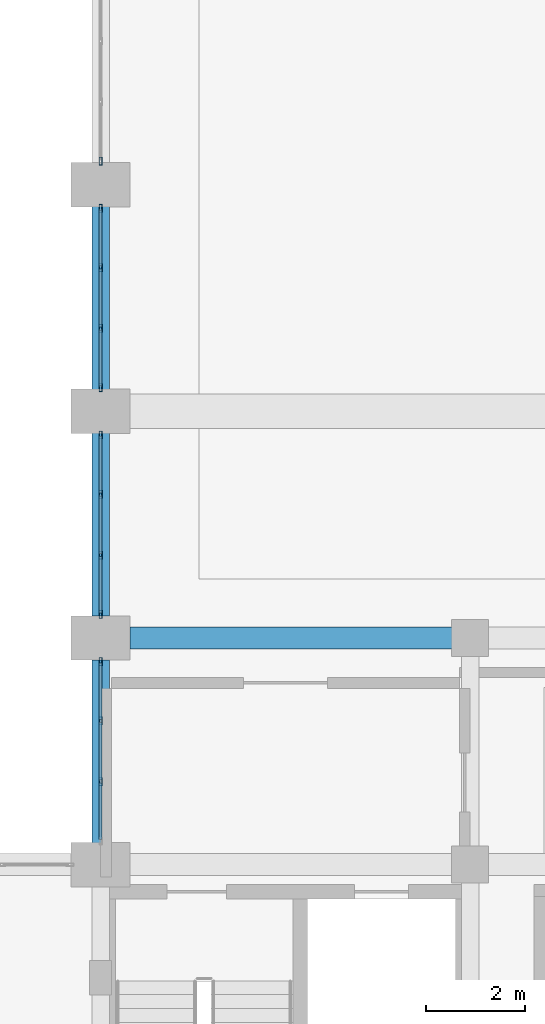
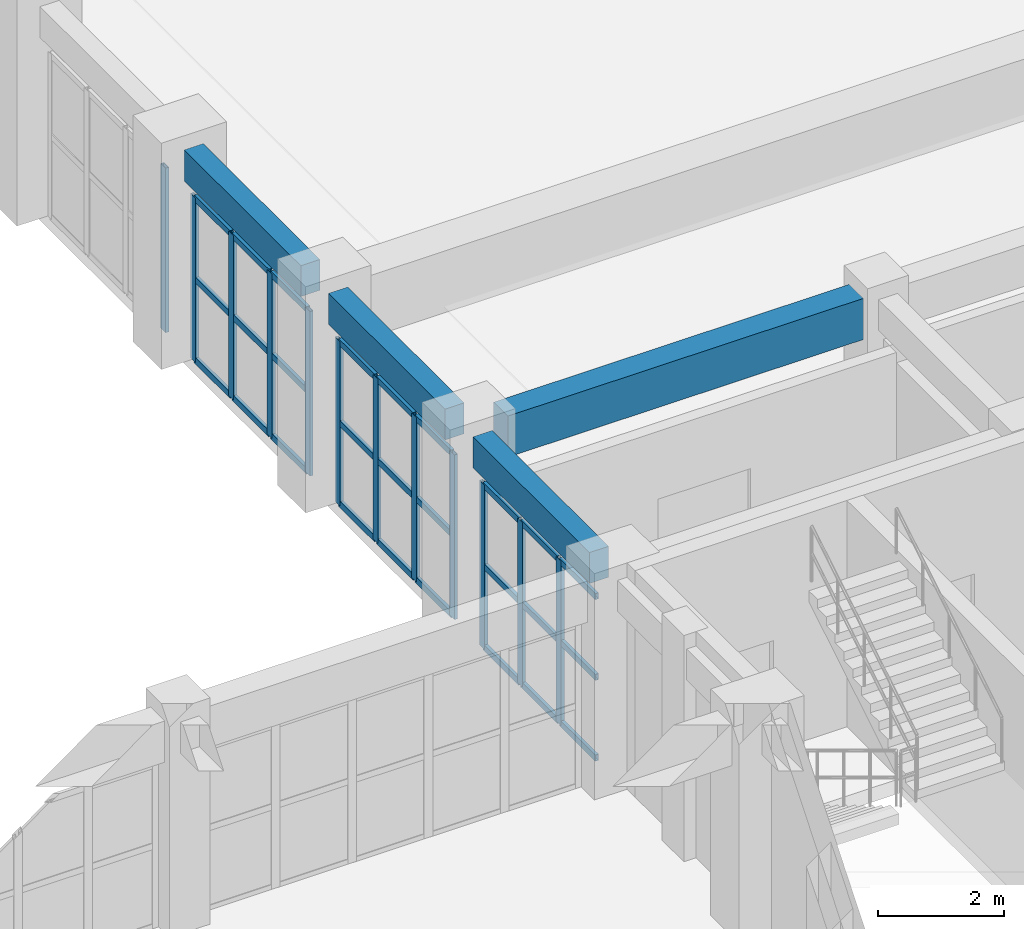
# One storey, part 29 of 116: 39 members, 4 beams, 4 elements without a shape of their own.
"""IFC4 building model written with IfcOpenShell, lengths in metres."""

from ifc_helpers import new_model, si_unit, direction, frame, origin, origin_2d, place, context, subcontext, project, spatial, rectangle, hollow_rectangle, extrude, material, layer, layer_set, material_profile, profile_set, type_object, element, aggregate, save


model = new_model("IFC4")

# Units and contexts
model_context = context("Model", 3, precision=1e-05, world=origin(), true_north=direction((0.0, 1.0)))
body_context = subcontext(model_context, "Body", "Model", "MODEL_VIEW")
ifc_project = project(units=[si_unit("LENGTHUNIT", "METRE"), si_unit("AREAUNIT", "SQUARE_METRE"), si_unit("VOLUMEUNIT", "CUBIC_METRE"), si_unit("PLANEANGLEUNIT", "RADIAN"), si_unit("MASSUNIT", "GRAM", prefix="KILO")], contexts=[model_context])

# Site, building, storey
site_placement = place(None, origin())
site = spatial("IfcSite", under=ifc_project, at=site_placement, CompositionType="ELEMENT")
building_placement = place(site_placement, origin())
building = spatial("IfcBuilding", under=site, at=building_placement, Name="Muzn Square Opera House", CompositionType="ELEMENT")
storey_placement = place(building_placement, frame((0.0, 0.0, 5.39990234375)))
storey = spatial("IfcBuildingStorey", under=building, at=storey_placement, Name="L01", CompositionType="ELEMENT", Elevation=5.39990234375)

# Curtain wall, members
ifc_material_1 = material(Name="Low-E laminated acoustic double glazing", Category="glass")
ifc_layer = layer(ifc_material_1, 0.159912109375, Name="Low-E laminated acoustic double glazing", Category="glass")
ifc_layer_set = layer_set([ifc_layer], Name="Low-E laminated acoustic double glazing")
curtain_wall_type = type_object("IfcCurtainWallType", Name="Glazed Curtain Wall WestVaultCourt 3700x3200", PredefinedType="USERDEFINED", material=ifc_layer_set)
curtain_wall_1_placement = place(storey_placement, origin())
curtain_wall_1 = element("IfcCurtainWall", 1, at=curtain_wall_1_placement, inside=storey, type_object=curtain_wall_type, Name="Glazed Curtain Wall CW-L01-039", ObjectType="GLAZED CURTAIN WALL", PredefinedType="USERDEFINED")
ifc_material_2 = material(Name="Anodised bronze aluminium 6063-T6", Category="metal")
ifc_material_profile_1 = material_profile(ifc_material_2, hollow_rectangle(XDim=0.06005859375, YDim=0.159912109375, WallThickness=0.00390625, at=origin_2d()), Name="ALU 160x60x4", Category="metal")
ifc_profile_set_1 = profile_set([ifc_material_profile_1], Name="Anodised bronze aluminium 6063-T6")
member_type_1 = type_object("IfcMemberType", Name="Curtain Wall Mullion 160x60", PredefinedType="MULLION", material=ifc_profile_set_1)
member_1_placement = place(storey_placement, frame((43.0, 32.88330078125, 0.0), z_axis=(0.0, 0.0, 1.0), x_axis=(-1.0, 0.0, 0.0)))
member_1 = element("IfcMember", 2, at=member_1_placement, type_object=member_type_1, Name="CW-WVC-37x32 mullion 2", PredefinedType="MULLION", context=body_context, shape_type="SweptSolid", body=[
    extrude(hollow_rectangle(XDim=0.06005859375, YDim=0.159912109375, WallThickness=0.00390625, at=origin_2d()), origin(), (0.0, 0.0, 1.0), 3.2001953125),
])
member_2_placement = place(storey_placement, frame((43.0, 34.11669921875, 0.0), z_axis=(0.0, 0.0, 1.0), x_axis=(-1.0, 0.0, 0.0)))
member_2 = element("IfcMember", 3, at=member_2_placement, type_object=member_type_1, Name="CW-WVC-37x32 mullion 3", PredefinedType="MULLION", context=body_context, shape_type="SweptSolid", body=[
    extrude(hollow_rectangle(XDim=0.06005859375, YDim=0.159912109375, WallThickness=0.00390625, at=origin_2d()), origin(), (0.0, 0.0, 1.0), 3.2001953125),
])
member_3_placement = place(storey_placement, frame((43.0, 35.320068359375, 0.0), z_axis=(0.0, 0.0, 1.0), x_axis=(-1.0, 0.0, 0.0)))
member_3 = element("IfcMember", 4, at=member_3_placement, type_object=member_type_1, Name="CW-WVC-37x32 mullion 4", PredefinedType="MULLION", context=body_context, shape_type="SweptSolid", body=[
    extrude(hollow_rectangle(XDim=0.06005859375, YDim=0.159912109375, WallThickness=0.00390625, at=origin_2d()), origin(), (0.0, 0.0, 1.0), 3.2001953125),
])

curtain_wall_2_placement = place(storey_placement, origin())
curtain_wall_2 = element("IfcCurtainWall", 5, at=curtain_wall_2_placement, inside=storey, type_object=curtain_wall_type, Name="Glazed Curtain Wall CW-L01-041", ObjectType="GLAZED CURTAIN WALL", PredefinedType="USERDEFINED")
member_4_placement = place(storey_placement, frame((43.0, 36.280029296875, 0.0), z_axis=(0.0, 0.0, 1.0), x_axis=(-1.0, 0.0, 0.0)))
member_4 = element("IfcMember", 6, at=member_4_placement, type_object=member_type_1, Name="CW-WVC-37x32 mullion 1", PredefinedType="MULLION", context=body_context, shape_type="SweptSolid", body=[
    extrude(hollow_rectangle(XDim=0.06005859375, YDim=0.159912109375, WallThickness=0.00390625, at=origin_2d()), origin(), (0.0, 0.0, 1.0), 3.2001953125),
])
member_5_placement = place(storey_placement, frame((43.0, 37.4833984375, 0.0), z_axis=(0.0, 0.0, 1.0), x_axis=(-1.0, 0.0, 0.0)))
member_5 = element("IfcMember", 7, at=member_5_placement, type_object=member_type_1, Name="CW-WVC-37x32 mullion 2", PredefinedType="MULLION", context=body_context, shape_type="SweptSolid", body=[
    extrude(hollow_rectangle(XDim=0.06005859375, YDim=0.159912109375, WallThickness=0.00390625, at=origin_2d()), origin(), (0.0, 0.0, 1.0), 3.2001953125),
])
member_6_placement = place(storey_placement, frame((43.0, 38.716552734375, 0.0), z_axis=(0.0, 0.0, 1.0), x_axis=(-1.0, 0.0, 0.0)))
member_6 = element("IfcMember", 8, at=member_6_placement, type_object=member_type_1, Name="CW-WVC-37x32 mullion 3", PredefinedType="MULLION", context=body_context, shape_type="SweptSolid", body=[
    extrude(hollow_rectangle(XDim=0.06005859375, YDim=0.159912109375, WallThickness=0.00390625, at=origin_2d()), origin(), (0.0, 0.0, 1.0), 3.2001953125),
])
member_7_placement = place(storey_placement, frame((43.0, 39.919921875, 0.0), z_axis=(0.0, 0.0, 1.0), x_axis=(-1.0, 0.0, 0.0)))
member_7 = element("IfcMember", 9, at=member_7_placement, type_object=member_type_1, Name="CW-WVC-37x32 mullion 4", PredefinedType="MULLION", context=body_context, shape_type="SweptSolid", body=[
    extrude(hollow_rectangle(XDim=0.06005859375, YDim=0.159912109375, WallThickness=0.00390625, at=origin_2d()), origin(), (0.0, 0.0, 1.0), 3.2001953125),
])

curtain_wall_3_placement = place(storey_placement, origin())
curtain_wall_3 = element("IfcCurtainWall", 10, at=curtain_wall_3_placement, inside=storey, type_object=curtain_wall_type, Name="Glazed Curtain Wall CW-L01-043", ObjectType="GLAZED CURTAIN WALL", PredefinedType="USERDEFINED")
member_8_placement = place(storey_placement, frame((43.0, 40.8798828125, 0.0), z_axis=(0.0, 0.0, 1.0), x_axis=(-1.0, 0.0, 0.0)))
member_8 = element("IfcMember", 11, at=member_8_placement, type_object=member_type_1, Name="CW-WVC-37x32 mullion 1", PredefinedType="MULLION", context=body_context, shape_type="SweptSolid", body=[
    extrude(hollow_rectangle(XDim=0.06005859375, YDim=0.159912109375, WallThickness=0.00390625, at=origin_2d()), origin(), (0.0, 0.0, 1.0), 3.2001953125),
])
member_9_placement = place(storey_placement, frame((43.0, 42.083251953125, 0.0), z_axis=(0.0, 0.0, 1.0), x_axis=(-1.0, 0.0, 0.0)))
member_9 = element("IfcMember", 12, at=member_9_placement, type_object=member_type_1, Name="CW-WVC-37x32 mullion 2", PredefinedType="MULLION", context=body_context, shape_type="SweptSolid", body=[
    extrude(hollow_rectangle(XDim=0.06005859375, YDim=0.159912109375, WallThickness=0.00390625, at=origin_2d()), origin(), (0.0, 0.0, 1.0), 3.2001953125),
])
member_10_placement = place(storey_placement, frame((43.0, 43.316650390625, 0.0), z_axis=(0.0, 0.0, 1.0), x_axis=(-1.0, 0.0, 0.0)))
member_10 = element("IfcMember", 13, at=member_10_placement, type_object=member_type_1, Name="CW-WVC-37x32 mullion 3", PredefinedType="MULLION", context=body_context, shape_type="SweptSolid", body=[
    extrude(hollow_rectangle(XDim=0.06005859375, YDim=0.159912109375, WallThickness=0.00390625, at=origin_2d()), origin(), (0.0, 0.0, 1.0), 3.2001953125),
])
member_11_placement = place(storey_placement, frame((43.0, 44.52001953125, 0.0), z_axis=(0.0, 0.0, 1.0), x_axis=(-1.0, 0.0, 0.0)))
member_11 = element("IfcMember", 14, at=member_11_placement, type_object=member_type_1, Name="CW-WVC-37x32 mullion 4", PredefinedType="MULLION", context=body_context, shape_type="SweptSolid", body=[
    extrude(hollow_rectangle(XDim=0.06005859375, YDim=0.159912109375, WallThickness=0.00390625, at=origin_2d()), origin(), (0.0, 0.0, 1.0), 3.2001953125),
])

# Curtain wall, member
curtain_wall_4_placement = place(storey_placement, origin())
curtain_wall_4 = element("IfcCurtainWall", 15, at=curtain_wall_4_placement, inside=storey, type_object=curtain_wall_type, Name="Glazed Curtain Wall CW-L01-045", ObjectType="GLAZED CURTAIN WALL", PredefinedType="USERDEFINED")
member_12_placement = place(storey_placement, frame((43.0, 45.47998046875, 0.0), z_axis=(0.0, 0.0, 1.0), x_axis=(-1.0, 0.0, 0.0)))
member_12 = element("IfcMember", 16, at=member_12_placement, type_object=member_type_1, Name="CW-WVC-37x32 mullion 1", PredefinedType="MULLION", context=body_context, shape_type="SweptSolid", body=[
    extrude(hollow_rectangle(XDim=0.06005859375, YDim=0.159912109375, WallThickness=0.00390625, at=origin_2d()), origin(), (0.0, 0.0, 1.0), 3.2001953125),
])
aggregate(curtain_wall_4, [member_12])

# Member
ifc_material_profile_2 = material_profile(ifc_material_2, hollow_rectangle(XDim=0.06005859375, YDim=0.1201171875, WallThickness=0.00390625, at=origin_2d()), Name="ALU 120x60x4", Category="metal")
ifc_profile_set_2 = profile_set([ifc_material_profile_2], Name="Anodised bronze aluminium 6063-T6")
member_type_2 = type_object("IfcMemberType", Name="Curtain Wall Transom 120x60", PredefinedType="USERDEFINED", material=ifc_profile_set_2)
member_13_placement = place(storey_placement, frame((43.0, 31.7099609375, 0.030029296875), z_axis=(0.0, 1.0, 0.0), x_axis=(-1.0, 0.0, 0.0)))
member_13 = element("IfcMember", 17, at=member_13_placement, type_object=member_type_2, Name="CW-WVC-37x32 transom 1.1", ObjectType="TRANSOM", PredefinedType="USERDEFINED", context=body_context, shape_type="SweptSolid", body=[
    extrude(hollow_rectangle(XDim=0.06005859375, YDim=0.1201171875, WallThickness=0.00390625, at=origin_2d()), origin(), (0.0, 0.0, 1.0), 1.143310546875),
])

member_14_placement = place(storey_placement, frame((43.0, 31.7099609375, 1.60009765625), z_axis=(0.0, 1.0, 0.0), x_axis=(-1.0, 0.0, 0.0)))
member_14 = element("IfcMember", 18, at=member_14_placement, type_object=member_type_2, Name="CW-WVC-37x32 transom 1.2", ObjectType="TRANSOM", PredefinedType="USERDEFINED", context=body_context, shape_type="SweptSolid", body=[
    extrude(hollow_rectangle(XDim=0.06005859375, YDim=0.1201171875, WallThickness=0.00390625, at=origin_2d()), origin(), (0.0, 0.0, 1.0), 1.143310546875),
])

member_15_placement = place(storey_placement, frame((43.0, 31.7099609375, 3.170166015625), z_axis=(0.0, 1.0, 0.0), x_axis=(-1.0, 0.0, 0.0)))
member_15 = element("IfcMember", 19, at=member_15_placement, type_object=member_type_2, Name="CW-WVC-37x32 transom 1.3", ObjectType="TRANSOM", PredefinedType="USERDEFINED", context=body_context, shape_type="SweptSolid", body=[
    extrude(hollow_rectangle(XDim=0.06005859375, YDim=0.1201171875, WallThickness=0.00390625, at=origin_2d()), origin(), (0.0, 0.0, 1.0), 1.143310546875),
])

member_16_placement = place(storey_placement, frame((43.0, 32.913330078125, 0.030029296875), z_axis=(0.0, 1.0, 0.0), x_axis=(-1.0, 0.0, 0.0)))
member_16 = element("IfcMember", 20, at=member_16_placement, type_object=member_type_2, Name="CW-WVC-37x32 transom 2.1", ObjectType="TRANSOM", PredefinedType="USERDEFINED", context=body_context, shape_type="SweptSolid", body=[
    extrude(hollow_rectangle(XDim=0.06005859375, YDim=0.1201171875, WallThickness=0.00390625, at=origin_2d()), origin(), (0.0, 0.0, 1.0), 1.17333984375),
])

member_17_placement = place(storey_placement, frame((43.0, 32.913330078125, 1.60009765625), z_axis=(0.0, 1.0, 0.0), x_axis=(-1.0, 0.0, 0.0)))
member_17 = element("IfcMember", 21, at=member_17_placement, type_object=member_type_2, Name="CW-WVC-37x32 transom 2.2", ObjectType="TRANSOM", PredefinedType="USERDEFINED", context=body_context, shape_type="SweptSolid", body=[
    extrude(hollow_rectangle(XDim=0.06005859375, YDim=0.1201171875, WallThickness=0.00390625, at=origin_2d()), origin(), (0.0, 0.0, 1.0), 1.17333984375),
])

member_18_placement = place(storey_placement, frame((43.0, 32.913330078125, 3.170166015625), z_axis=(0.0, 1.0, 0.0), x_axis=(-1.0, 0.0, 0.0)))
member_18 = element("IfcMember", 22, at=member_18_placement, type_object=member_type_2, Name="CW-WVC-37x32 transom 2.3", ObjectType="TRANSOM", PredefinedType="USERDEFINED", context=body_context, shape_type="SweptSolid", body=[
    extrude(hollow_rectangle(XDim=0.06005859375, YDim=0.1201171875, WallThickness=0.00390625, at=origin_2d()), origin(), (0.0, 0.0, 1.0), 1.17333984375),
])

member_19_placement = place(storey_placement, frame((43.0, 34.146728515625, 0.030029296875), z_axis=(0.0, 1.0, 0.0), x_axis=(-1.0, 0.0, 0.0)))
member_19 = element("IfcMember", 23, at=member_19_placement, type_object=member_type_2, Name="CW-WVC-37x32 transom 3.1", ObjectType="TRANSOM", PredefinedType="USERDEFINED", context=body_context, shape_type="SweptSolid", body=[
    extrude(hollow_rectangle(XDim=0.06005859375, YDim=0.1201171875, WallThickness=0.00390625, at=origin_2d()), origin(), (0.0, 0.0, 1.0), 1.143310546875),
])

member_20_placement = place(storey_placement, frame((43.0, 34.146728515625, 1.60009765625), z_axis=(0.0, 1.0, 0.0), x_axis=(-1.0, 0.0, 0.0)))
member_20 = element("IfcMember", 24, at=member_20_placement, type_object=member_type_2, Name="CW-WVC-37x32 transom 3.2", ObjectType="TRANSOM", PredefinedType="USERDEFINED", context=body_context, shape_type="SweptSolid", body=[
    extrude(hollow_rectangle(XDim=0.06005859375, YDim=0.1201171875, WallThickness=0.00390625, at=origin_2d()), origin(), (0.0, 0.0, 1.0), 1.143310546875),
])

member_21_placement = place(storey_placement, frame((43.0, 34.146728515625, 3.170166015625), z_axis=(0.0, 1.0, 0.0), x_axis=(-1.0, 0.0, 0.0)))
member_21 = element("IfcMember", 25, at=member_21_placement, type_object=member_type_2, Name="CW-WVC-37x32 transom 3.3", ObjectType="TRANSOM", PredefinedType="USERDEFINED", context=body_context, shape_type="SweptSolid", body=[
    extrude(hollow_rectangle(XDim=0.06005859375, YDim=0.1201171875, WallThickness=0.00390625, at=origin_2d()), origin(), (0.0, 0.0, 1.0), 1.143310546875),
])

aggregate(curtain_wall_1, [member_1, member_2, member_3, member_13, member_14, member_15, member_16, member_17, member_18, member_19, member_20, member_21])

member_22_placement = place(storey_placement, frame((43.0, 36.31005859375, 0.030029296875), z_axis=(0.0, 1.0, 0.0), x_axis=(-1.0, 0.0, 0.0)))
member_22 = element("IfcMember", 26, at=member_22_placement, type_object=member_type_2, Name="CW-WVC-37x32 transom 1.1", ObjectType="TRANSOM", PredefinedType="USERDEFINED", context=body_context, shape_type="SweptSolid", body=[
    extrude(hollow_rectangle(XDim=0.06005859375, YDim=0.1201171875, WallThickness=0.00390625, at=origin_2d()), origin(), (0.0, 0.0, 1.0), 1.143310546875),
])

member_23_placement = place(storey_placement, frame((43.0, 36.31005859375, 1.60009765625), z_axis=(0.0, 1.0, 0.0), x_axis=(-1.0, 0.0, 0.0)))
member_23 = element("IfcMember", 27, at=member_23_placement, type_object=member_type_2, Name="CW-WVC-37x32 transom 1.2", ObjectType="TRANSOM", PredefinedType="USERDEFINED", context=body_context, shape_type="SweptSolid", body=[
    extrude(hollow_rectangle(XDim=0.06005859375, YDim=0.1201171875, WallThickness=0.00390625, at=origin_2d()), origin(), (0.0, 0.0, 1.0), 1.143310546875),
])

member_24_placement = place(storey_placement, frame((43.0, 36.31005859375, 3.170166015625), z_axis=(0.0, 1.0, 0.0), x_axis=(-1.0, 0.0, 0.0)))
member_24 = element("IfcMember", 28, at=member_24_placement, type_object=member_type_2, Name="CW-WVC-37x32 transom 1.3", ObjectType="TRANSOM", PredefinedType="USERDEFINED", context=body_context, shape_type="SweptSolid", body=[
    extrude(hollow_rectangle(XDim=0.06005859375, YDim=0.1201171875, WallThickness=0.00390625, at=origin_2d()), origin(), (0.0, 0.0, 1.0), 1.143310546875),
])

member_25_placement = place(storey_placement, frame((43.0, 37.513427734375, 0.030029296875), z_axis=(0.0, 1.0, 0.0), x_axis=(-1.0, 0.0, 0.0)))
member_25 = element("IfcMember", 29, at=member_25_placement, type_object=member_type_2, Name="CW-WVC-37x32 transom 2.1", ObjectType="TRANSOM", PredefinedType="USERDEFINED", context=body_context, shape_type="SweptSolid", body=[
    extrude(hollow_rectangle(XDim=0.06005859375, YDim=0.1201171875, WallThickness=0.00390625, at=origin_2d()), origin(), (0.0, 0.0, 1.0), 1.17333984375),
])

member_26_placement = place(storey_placement, frame((43.0, 37.513427734375, 1.60009765625), z_axis=(0.0, 1.0, 0.0), x_axis=(-1.0, 0.0, 0.0)))
member_26 = element("IfcMember", 30, at=member_26_placement, type_object=member_type_2, Name="CW-WVC-37x32 transom 2.2", ObjectType="TRANSOM", PredefinedType="USERDEFINED", context=body_context, shape_type="SweptSolid", body=[
    extrude(hollow_rectangle(XDim=0.06005859375, YDim=0.1201171875, WallThickness=0.00390625, at=origin_2d()), origin(), (0.0, 0.0, 1.0), 1.17333984375),
])

member_27_placement = place(storey_placement, frame((43.0, 37.513427734375, 3.170166015625), z_axis=(0.0, 1.0, 0.0), x_axis=(-1.0, 0.0, 0.0)))
member_27 = element("IfcMember", 31, at=member_27_placement, type_object=member_type_2, Name="CW-WVC-37x32 transom 2.3", ObjectType="TRANSOM", PredefinedType="USERDEFINED", context=body_context, shape_type="SweptSolid", body=[
    extrude(hollow_rectangle(XDim=0.06005859375, YDim=0.1201171875, WallThickness=0.00390625, at=origin_2d()), origin(), (0.0, 0.0, 1.0), 1.17333984375),
])

member_28_placement = place(storey_placement, frame((43.0, 38.74658203125, 0.030029296875), z_axis=(0.0, 1.0, 0.0), x_axis=(-1.0, 0.0, 0.0)))
member_28 = element("IfcMember", 32, at=member_28_placement, type_object=member_type_2, Name="CW-WVC-37x32 transom 3.1", ObjectType="TRANSOM", PredefinedType="USERDEFINED", context=body_context, shape_type="SweptSolid", body=[
    extrude(hollow_rectangle(XDim=0.06005859375, YDim=0.1201171875, WallThickness=0.00390625, at=origin_2d()), origin(), (0.0, 0.0, 1.0), 1.143310546875),
])

member_29_placement = place(storey_placement, frame((43.0, 38.74658203125, 1.60009765625), z_axis=(0.0, 1.0, 0.0), x_axis=(-1.0, 0.0, 0.0)))
member_29 = element("IfcMember", 33, at=member_29_placement, type_object=member_type_2, Name="CW-WVC-37x32 transom 3.2", ObjectType="TRANSOM", PredefinedType="USERDEFINED", context=body_context, shape_type="SweptSolid", body=[
    extrude(hollow_rectangle(XDim=0.06005859375, YDim=0.1201171875, WallThickness=0.00390625, at=origin_2d()), origin(), (0.0, 0.0, 1.0), 1.143310546875),
])

member_30_placement = place(storey_placement, frame((43.0, 38.74658203125, 3.170166015625), z_axis=(0.0, 1.0, 0.0), x_axis=(-1.0, 0.0, 0.0)))
member_30 = element("IfcMember", 34, at=member_30_placement, type_object=member_type_2, Name="CW-WVC-37x32 transom 3.3", ObjectType="TRANSOM", PredefinedType="USERDEFINED", context=body_context, shape_type="SweptSolid", body=[
    extrude(hollow_rectangle(XDim=0.06005859375, YDim=0.1201171875, WallThickness=0.00390625, at=origin_2d()), origin(), (0.0, 0.0, 1.0), 1.143310546875),
])

aggregate(curtain_wall_2, [member_4, member_5, member_6, member_7, member_22, member_23, member_24, member_25, member_26, member_27, member_28, member_29, member_30])

member_31_placement = place(storey_placement, frame((43.0, 40.909912109375, 0.030029296875), z_axis=(0.0, 1.0, 0.0), x_axis=(-1.0, 0.0, 0.0)))
member_31 = element("IfcMember", 35, at=member_31_placement, type_object=member_type_2, Name="CW-WVC-37x32 transom 1.1", ObjectType="TRANSOM", PredefinedType="USERDEFINED", context=body_context, shape_type="SweptSolid", body=[
    extrude(hollow_rectangle(XDim=0.06005859375, YDim=0.1201171875, WallThickness=0.00390625, at=origin_2d()), origin(), (0.0, 0.0, 1.0), 1.143310546875),
])

member_32_placement = place(storey_placement, frame((43.0, 40.909912109375, 1.60009765625), z_axis=(0.0, 1.0, 0.0), x_axis=(-1.0, 0.0, 0.0)))
member_32 = element("IfcMember", 36, at=member_32_placement, type_object=member_type_2, Name="CW-WVC-37x32 transom 1.2", ObjectType="TRANSOM", PredefinedType="USERDEFINED", context=body_context, shape_type="SweptSolid", body=[
    extrude(hollow_rectangle(XDim=0.06005859375, YDim=0.1201171875, WallThickness=0.00390625, at=origin_2d()), origin(), (0.0, 0.0, 1.0), 1.143310546875),
])

member_33_placement = place(storey_placement, frame((43.0, 40.909912109375, 3.170166015625), z_axis=(0.0, 1.0, 0.0), x_axis=(-1.0, 0.0, 0.0)))
member_33 = element("IfcMember", 37, at=member_33_placement, type_object=member_type_2, Name="CW-WVC-37x32 transom 1.3", ObjectType="TRANSOM", PredefinedType="USERDEFINED", context=body_context, shape_type="SweptSolid", body=[
    extrude(hollow_rectangle(XDim=0.06005859375, YDim=0.1201171875, WallThickness=0.00390625, at=origin_2d()), origin(), (0.0, 0.0, 1.0), 1.143310546875),
])

member_34_placement = place(storey_placement, frame((43.0, 42.11328125, 0.030029296875), z_axis=(0.0, 1.0, 0.0), x_axis=(-1.0, 0.0, 0.0)))
member_34 = element("IfcMember", 38, at=member_34_placement, type_object=member_type_2, Name="CW-WVC-37x32 transom 2.1", ObjectType="TRANSOM", PredefinedType="USERDEFINED", context=body_context, shape_type="SweptSolid", body=[
    extrude(hollow_rectangle(XDim=0.06005859375, YDim=0.1201171875, WallThickness=0.00390625, at=origin_2d()), origin(), (0.0, 0.0, 1.0), 1.17333984375),
])

member_35_placement = place(storey_placement, frame((43.0, 42.11328125, 1.60009765625), z_axis=(0.0, 1.0, 0.0), x_axis=(-1.0, 0.0, 0.0)))
member_35 = element("IfcMember", 39, at=member_35_placement, type_object=member_type_2, Name="CW-WVC-37x32 transom 2.2", ObjectType="TRANSOM", PredefinedType="USERDEFINED", context=body_context, shape_type="SweptSolid", body=[
    extrude(hollow_rectangle(XDim=0.06005859375, YDim=0.1201171875, WallThickness=0.00390625, at=origin_2d()), origin(), (0.0, 0.0, 1.0), 1.17333984375),
])

member_36_placement = place(storey_placement, frame((43.0, 42.11328125, 3.170166015625), z_axis=(0.0, 1.0, 0.0), x_axis=(-1.0, 0.0, 0.0)))
member_36 = element("IfcMember", 40, at=member_36_placement, type_object=member_type_2, Name="CW-WVC-37x32 transom 2.3", ObjectType="TRANSOM", PredefinedType="USERDEFINED", context=body_context, shape_type="SweptSolid", body=[
    extrude(hollow_rectangle(XDim=0.06005859375, YDim=0.1201171875, WallThickness=0.00390625, at=origin_2d()), origin(), (0.0, 0.0, 1.0), 1.17333984375),
])

member_37_placement = place(storey_placement, frame((43.0, 43.3466796875, 0.030029296875), z_axis=(0.0, 1.0, 0.0), x_axis=(-1.0, 0.0, 0.0)))
member_37 = element("IfcMember", 41, at=member_37_placement, type_object=member_type_2, Name="CW-WVC-37x32 transom 3.1", ObjectType="TRANSOM", PredefinedType="USERDEFINED", context=body_context, shape_type="SweptSolid", body=[
    extrude(hollow_rectangle(XDim=0.06005859375, YDim=0.1201171875, WallThickness=0.00390625, at=origin_2d()), origin(), (0.0, 0.0, 1.0), 1.143310546875),
])

member_38_placement = place(storey_placement, frame((43.0, 43.3466796875, 1.60009765625), z_axis=(0.0, 1.0, 0.0), x_axis=(-1.0, 0.0, 0.0)))
member_38 = element("IfcMember", 42, at=member_38_placement, type_object=member_type_2, Name="CW-WVC-37x32 transom 3.2", ObjectType="TRANSOM", PredefinedType="USERDEFINED", context=body_context, shape_type="SweptSolid", body=[
    extrude(hollow_rectangle(XDim=0.06005859375, YDim=0.1201171875, WallThickness=0.00390625, at=origin_2d()), origin(), (0.0, 0.0, 1.0), 1.143310546875),
])

member_39_placement = place(storey_placement, frame((43.0, 43.3466796875, 3.170166015625), z_axis=(0.0, 1.0, 0.0), x_axis=(-1.0, 0.0, 0.0)))
member_39 = element("IfcMember", 43, at=member_39_placement, type_object=member_type_2, Name="CW-WVC-37x32 transom 3.3", ObjectType="TRANSOM", PredefinedType="USERDEFINED", context=body_context, shape_type="SweptSolid", body=[
    extrude(hollow_rectangle(XDim=0.06005859375, YDim=0.1201171875, WallThickness=0.00390625, at=origin_2d()), origin(), (0.0, 0.0, 1.0), 1.143310546875),
])

aggregate(curtain_wall_3, [member_8, member_9, member_10, member_11, member_31, member_32, member_33, member_34, member_35, member_36, member_37, member_38, member_39])

# Beams
ifc_material_3 = material(Name="Concrete C40/50", Category="concrete")
ifc_material_profile_3 = material_profile(ifc_material_3, rectangle(XDim=0.35009765625, YDim=0.60009765625, at=origin_2d()), Name="RCB 350x600", Category="concrete")
ifc_profile_set_3 = profile_set([ifc_material_profile_3], Name="Concrete C40/50")
beam_type_1 = type_object("IfcBeamType", Name="Primary Girder 350x600", PredefinedType="BEAM", material=ifc_profile_set_3)
beam_1_placement = place(storey_placement, frame((43.0, 31.64208984375, 3.820068359375), z_axis=(0.0, 1.0, 0.0), x_axis=(-1.0, 0.0, 0.0)))
element("IfcBeam", 44, at=beam_1_placement, inside=storey, type_object=beam_type_1, Name="Primary Girder BM-L01-BM-PG600-430_316_430_354-1601", PredefinedType="BEAM", context=body_context, shape_type="SweptSolid", body=[
    extrude(rectangle(XDim=0.35009765625, YDim=0.60009765625, at=origin_2d()), origin(), (0.0, 0.0, 1.0), 3.7158203125),
])
for number, where, z_axis, x_axis, name in (
    (45, (43.0, 36.241943359375, 3.820068359375), (0.0, 1.0, 0.0), (-1.0, 0.0, 0.0), "Primary Girder BM-L01-BM-PG600-430_362_430_400-1602"),
    (46, (43.0, 40.842041015625, 3.820068359375), (0.0, 1.0, 0.0), (-1.0, 0.0, 0.0), "Primary Girder BM-L01-BM-PG600-430_408_430_446-1603"),
):
    element("IfcBeam", number, at=place(storey_placement, frame(where, z_axis=z_axis, x_axis=x_axis)), inside=storey, type_object=beam_type_1, Name=name, PredefinedType="BEAM", context=body_context, shape_type="SweptSolid", body=[
        extrude(rectangle(XDim=0.35009765625, YDim=0.60009765625, at=origin_2d()), origin(), (0.0, 0.0, 1.0), 3.716064453125),
    ])
ifc_material_profile_4 = material_profile(ifc_material_3, rectangle(XDim=0.449951171875, YDim=0.800048828125, at=origin_2d()), Name="RCB 450x800", Category="concrete")
ifc_profile_set_4 = profile_set([ifc_material_profile_4], Name="Concrete C40/50")
beam_type_2 = type_object("IfcBeamType", Name="Primary Girder 450x800", PredefinedType="BEAM", material=ifc_profile_set_4)
beam_2_placement = place(storey_placement, frame((43.592041015625, 35.800048828125, 3.72021484375), z_axis=(1.0, 0.0, 0.0), x_axis=(0.0, 1.0, 0.0)))
element("IfcBeam", 47, at=beam_2_placement, inside=storey, type_object=beam_type_2, Name="Primary Girder BM-L01-BM-PG800-436_358_501_358-1336", PredefinedType="BEAM", context=body_context, shape_type="SweptSolid", body=[
    extrude(rectangle(XDim=0.449951171875, YDim=0.800048828125, at=origin_2d()), origin(), (0.0, 0.0, 1.0), 6.541015625),
])

save(model, "model.ifc")
